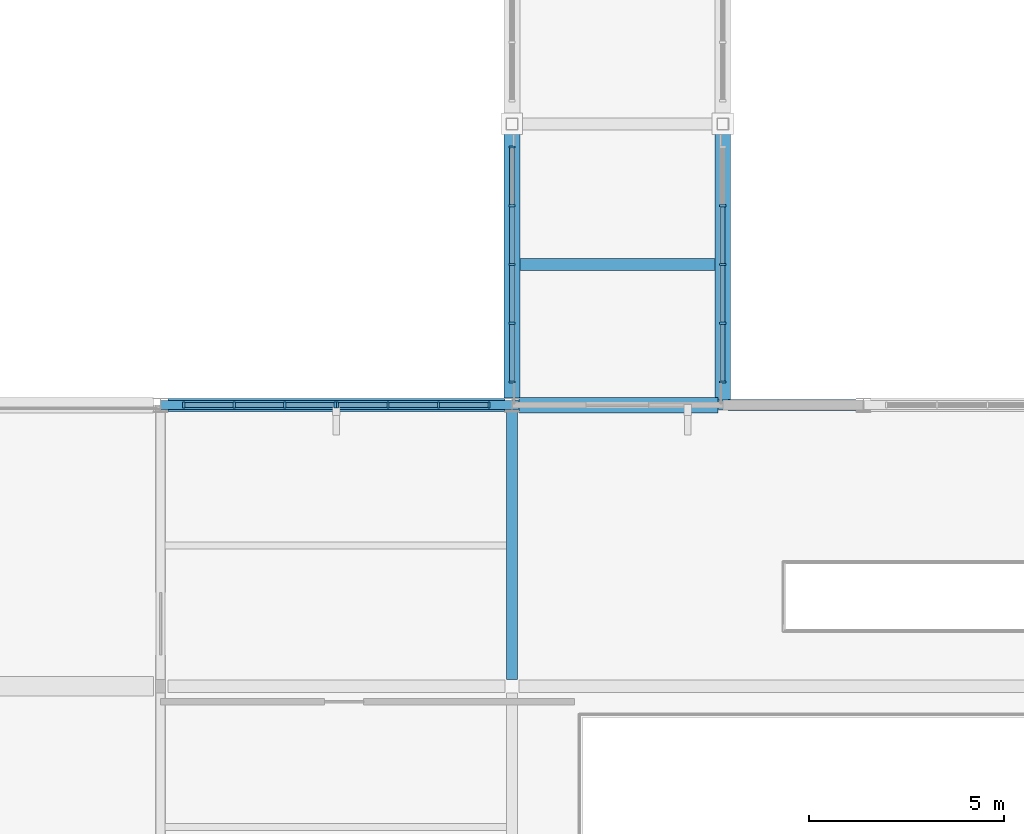
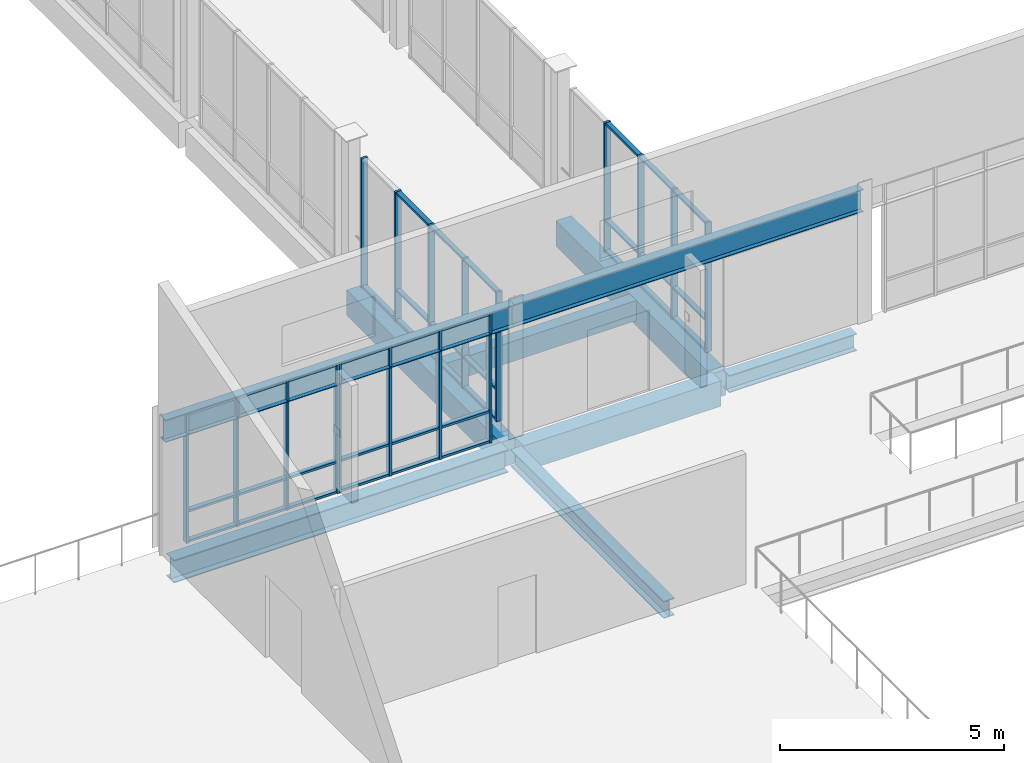
# One storey, part 19 of 85: 54 members, 9 beams, 4 elements without a shape of their own.
"""IFC4 building model written with IfcOpenShell, lengths in metres."""

import ifcopenshell
import ifcopenshell.guid

model = None  # the IFC model being written
_history = None  # IfcOwnerHistory: only IFC2X3 demands one
_inside = {}  # id of a spatial element -> (the spatial element, [elements in it])
_under = {}  # id of a project, library or spatial element -> (it, [spatial elements below it])
_declared = {}  # id of a project -> (the project, [libraries it declares])
_typed = {}  # id of a type object -> (the type object, [elements of that type])
_made_of = {}  # id of a material, layer set ... -> (it, [elements and type objects made of it])


def new_model(schema):
    """Start an empty IFC model of exactly this schema.

    Asked for "IFC4X3", IfcOpenShell would pick the latest addendum, in which some entities
    have other attributes; the version numbers below select the first issue.
    IFC2X3 requires an IfcOwnerHistory on every rooted entity: one is made here for all.
    """
    global model, _history
    if schema == "IFC4X3":
        model = ifcopenshell.file(schema_version=(4, 3, 0, 0))
    else:
        model = ifcopenshell.file(schema=schema)
    _inside.clear()
    _under.clear()
    _declared.clear()
    _typed.clear()
    _made_of.clear()
    _history = None
    if model.schema == "IFC2X3":
        org = make("IfcOrganization", Name="unknown")
        user = make(
            "IfcPersonAndOrganization",
            ThePerson=make("IfcPerson", FamilyName="unknown"),
            TheOrganization=org,
        )
        app = make(
            "IfcApplication",
            ApplicationDeveloper=org,
            Version="unknown",
            ApplicationFullName="unknown",
            ApplicationIdentifier="unknown",
        )
        _history = make(
            "IfcOwnerHistory",
            OwningUser=user,
            OwningApplication=app,
            ChangeAction="ADDED",
            CreationDate=0,
        )
    return model


def make(cls, **values):
    """One entity of the class cls with the attributes given. An attribute that is None is left unset."""
    return model.create_entity(
        cls, **{name: value for name, value in values.items() if value is not None}
    )


def rooted(cls, **values):
    """An entity with a GlobalId (a new one), such as an element, a storey or a relation."""
    return make(cls, GlobalId=ifcopenshell.guid.new(), OwnerHistory=_history, **values)


def si_unit(unit_type, name, prefix=None):
    """IfcSIUnit, for example si_unit("LENGTHUNIT", "METRE", prefix="MILLI")."""
    return make("IfcSIUnit", UnitType=unit_type, Prefix=prefix, Name=name)


def assignment(units):
    """IfcUnitAssignment: the units of a project."""
    return None if units is None else make("IfcUnitAssignment", Units=units)


def point(xyz):
    """IfcCartesianPoint."""
    return None if xyz is None else make("IfcCartesianPoint", Coordinates=xyz)


def direction(xyz):
    """IfcDirection."""
    return None if xyz is None else make("IfcDirection", DirectionRatios=xyz)


def frame(location, z_axis=None, x_axis=None):
    """IfcAxis2Placement3D, a coordinate frame: its origin and axes. An axis left out is left unset."""
    return make(
        "IfcAxis2Placement3D",
        Location=point(location),
        Axis=direction(z_axis),
        RefDirection=direction(x_axis),
    )


def frame_2d(location, x_axis=None):
    """IfcAxis2Placement2D, a coordinate frame in the plane: its origin and x axis."""
    return make(
        "IfcAxis2Placement2D", Location=point(location), RefDirection=direction(x_axis)
    )


def origin():
    """The frame at (0, 0, 0) with its axes left unset."""
    return frame((0.0, 0.0, 0.0))


def origin_2d():
    """The frame at (0, 0) in the plane with its x axis left unset."""
    return frame_2d((0.0, 0.0))


def place(relative_to, where):
    """IfcLocalPlacement: puts the frame where relative to a parent placement (None: the world)."""
    return make(
        "IfcLocalPlacement", PlacementRelTo=relative_to, RelativePlacement=where
    )


def context(
    kind, dimensions, precision=None, world=None, true_north=None, identifier=None
):
    """IfcGeometricRepresentationContext, for example the 3D "Model" context."""
    return make(
        "IfcGeometricRepresentationContext",
        ContextIdentifier=identifier,
        ContextType=kind,
        CoordinateSpaceDimension=dimensions,
        Precision=precision,
        WorldCoordinateSystem=world,
        TrueNorth=true_north,
    )


def subcontext(parent, identifier, kind, view, scale=None):
    """IfcGeometricRepresentationSubContext, for example "Body" below "Model"."""
    return make(
        "IfcGeometricRepresentationSubContext",
        ContextIdentifier=identifier,
        ContextType=kind,
        ParentContext=parent,
        TargetScale=scale,
        TargetView=view,
    )


def project(units=None, contexts=None):
    """IfcProject with its units and contexts."""
    return rooted(
        "IfcProject",
        Name="project",
        RepresentationContexts=contexts,
        UnitsInContext=assignment(units),
    )


def spatial(cls, under=None, at=None, **own):
    """A site, building, storey or space (cls), placed at a placement, below another one or the project."""
    s = rooted(cls, ObjectPlacement=at, **own)
    if under is not None:
        _under.setdefault(under.id(), (under, []))[1].append(s)
    return s


def profile(cls, at=None, kind="AREA", **sizes):
    """A parametric profile (cls). Its sizes go by their IFC names, for example OverallWidth=200.0."""
    return make(cls, ProfileType=kind, Position=at, **sizes)


def rectangle(**sizes):
    """IfcRectangleProfileDef."""
    return profile("IfcRectangleProfileDef", **sizes)


def i_section(**sizes):
    """IfcIShapeProfileDef."""
    return profile("IfcIShapeProfileDef", **sizes)


def extrude(swept, where, along, depth):
    """IfcExtrudedAreaSolid: the profile swept, set in the frame where, extruded along a direction by depth."""
    return make(
        "IfcExtrudedAreaSolid",
        SweptArea=swept,
        Position=where,
        ExtrudedDirection=direction(along),
        Depth=depth,
    )


def shape(context_of_items, identifier, shape_type, items):
    """IfcShapeRepresentation: the items that make up one representation, for example the "Body"."""
    return make(
        "IfcShapeRepresentation",
        ContextOfItems=context_of_items,
        RepresentationIdentifier=identifier,
        RepresentationType=shape_type,
        Items=items,
    )


def material(Name=None, Category=None):
    """IfcMaterial."""
    return make("IfcMaterial", Name=Name, Category=Category)


def material_profile(
    of_material, cross_section, Name=None, Category=None, Priority=None
):
    """IfcMaterialProfile: a cross section and its material."""
    return make(
        "IfcMaterialProfile",
        Name=Name,
        Material=of_material,
        Profile=cross_section,
        Priority=Priority,
        Category=Category,
    )


def profile_set(profiles, Name=None, composite=None):
    """IfcMaterialProfileSet."""
    return make(
        "IfcMaterialProfileSet",
        Name=Name,
        MaterialProfiles=profiles,
        CompositeProfile=composite,
    )


def made_of(thing, what):
    """Note that an element or type object is made of a material, layer set ...; save() writes the relation."""
    if what is not None:
        _made_of.setdefault(what.id(), (what, []))[1].append(thing)
    return thing


def type_object(cls, material=None, **own):
    """A type object (cls), such as IfcWallType, which elements share."""
    return made_of(rooted(cls, **own), material)


def element(
    cls,
    number,
    at=None,
    inside=None,
    cuts=None,
    type_object=None,
    material=None,
    context=None,
    identifier="Body",
    shape_type=None,
    held_by="IfcProductDefinitionShape",
    body=None,
    shapes=None,
    **own,
):
    """One element of the class cls, such as IfcWall. Its Tag is "e" and its number.

    at: its placement. inside: the storey or other place that contains it. cuts: it is an
    opening in that element (IfcRelVoidsElement). A single representation is given by context,
    identifier, shape_type and body (its items); several are given by shapes. held_by: the class
    of the entity that holds the representations. save() writes the other relations.
    """
    e = rooted(cls, Tag="e%d" % number, ObjectPlacement=at, **own)
    if body is not None:
        shapes = [shape(context, identifier, shape_type, body)]
    if shapes is not None:
        e.Representation = make(held_by, Representations=shapes)
    if inside is not None:
        _inside.setdefault(inside.id(), (inside, []))[1].append(e)
    if cuts is not None:
        rooted(
            "IfcRelVoidsElement", RelatingBuildingElement=cuts, RelatedOpeningElement=e
        )
    if type_object is not None:
        _typed.setdefault(type_object.id(), (type_object, []))[1].append(e)
    return made_of(e, material)


def aggregate(whole, parts):
    """IfcRelAggregates: a whole, such as a stair, and the parts it consists of."""
    return rooted("IfcRelAggregates", RelatingObject=whole, RelatedObjects=parts)


def save(model, path):
    """Write the relations noted so far, then the file.

    IfcRelAggregates (storeys below a building ...), IfcRelContainedInSpatialStructure (elements
    in a storey), IfcRelDefinesByType, IfcRelAssociatesMaterial and IfcRelDeclares: one each for
    every whole, place, type object, material and project.
    """
    for whole, parts in _under.values():
        aggregate(whole, parts)
    for where, things in _inside.values():
        rooted(
            "IfcRelContainedInSpatialStructure",
            RelatedElements=things,
            RelatingStructure=where,
        )
    for kind, things in _typed.values():
        rooted("IfcRelDefinesByType", RelatedObjects=things, RelatingType=kind)
    for what, things in _made_of.values():
        rooted("IfcRelAssociatesMaterial", RelatedObjects=things, RelatingMaterial=what)
    for by, libraries in _declared.values():
        rooted("IfcRelDeclares", RelatingContext=by, RelatedDefinitions=libraries)
    model.write(path)


model = new_model("IFC4")

# Units and contexts
model_context = context("Model", 3, precision=1e-05, world=origin(), true_north=direction((0.0, 1.0)))
body_context = subcontext(model_context, "Body", "Model", "MODEL_VIEW")
ifc_project = project(units=[si_unit("LENGTHUNIT", "METRE"), si_unit("AREAUNIT", "SQUARE_METRE"), si_unit("VOLUMEUNIT", "CUBIC_METRE"), si_unit("PLANEANGLEUNIT", "RADIAN"), si_unit("MASSUNIT", "GRAM", prefix="KILO")], contexts=[model_context])

# Site, building, storey
site_placement = place(None, origin())
site = spatial("IfcSite", under=ifc_project, at=site_placement, CompositionType="ELEMENT")
building_placement = place(site_placement, origin())
building = spatial("IfcBuilding", under=site, at=building_placement, Name="Vervanel Yard Central Library", CompositionType="ELEMENT")
storey_placement = place(building_placement, frame((0.0, 0.0, 5.10009765625)))
storey = spatial("IfcBuildingStorey", under=building, at=storey_placement, Name="L01", CompositionType="ELEMENT", Elevation=5.10009765625)

# Curtain wall, members
ifc_material_1 = material(Name="Thermally broken anodized aluminium 6063-T6", Category="aluminium")
curtain_wall_type_1 = type_object("IfcCurtainWallType", Name="Children's Courtyard Curtain Wall", PredefinedType="NOTDEFINED", material=ifc_material_1)
curtain_wall_1_placement = place(storey_placement, origin())
curtain_wall_1 = element("IfcCurtainWall", 1, at=curtain_wall_1_placement, inside=storey, type_object=curtain_wall_type_1, Name="L01 Children's Courtyard Curtain Wall CWR-L01-166", PredefinedType="NOTDEFINED")
ifc_material_profile_1 = material_profile(ifc_material_1, rectangle(XDim=0.06005859375, YDim=0.159912109375, at=origin_2d()), Name="ALU 60x160", Category="aluminium")
ifc_profile_set_1 = profile_set([ifc_material_profile_1], Name="Thermally broken anodized aluminium 6063-T6")
member_type_1 = type_object("IfcMemberType", Name="Bridge & Courtyard Mullion 60x160", PredefinedType="MULLION", material=ifc_profile_set_1)
member_1_placement = place(storey_placement, frame((63.590087890625, 21.60009765625, 0.0), z_axis=(0.0, 0.0, 1.0), x_axis=(1.0, 0.0, 0.0)))
member_1 = element("IfcMember", 2, at=member_1_placement, type_object=member_type_1, Name="CWR-L01-166 Mullion 1", PredefinedType="MULLION", context=body_context, shape_type="SweptSolid", body=[
    extrude(rectangle(XDim=0.06005859375, YDim=0.159912109375, at=origin_2d()), origin(), (0.0, 0.0, 1.0), 3.52978515625),
])
member_2_placement = place(storey_placement, frame((64.88330078125, 21.60009765625, 0.0), z_axis=(0.0, 0.0, 1.0), x_axis=(1.0, 0.0, 0.0)))
member_2 = element("IfcMember", 3, at=member_2_placement, type_object=member_type_1, Name="CWR-L01-166 Mullion 2", PredefinedType="MULLION", context=body_context, shape_type="SweptSolid", body=[
    extrude(rectangle(XDim=0.06005859375, YDim=0.159912109375, at=origin_2d()), origin(), (0.0, 0.0, 1.0), 3.52978515625),
])
member_3_placement = place(storey_placement, frame((66.1767578125, 21.60009765625, 0.0), z_axis=(0.0, 0.0, 1.0), x_axis=(1.0, 0.0, 0.0)))
member_3 = element("IfcMember", 4, at=member_3_placement, type_object=member_type_1, Name="CWR-L01-166 Mullion 3", PredefinedType="MULLION", context=body_context, shape_type="SweptSolid", body=[
    extrude(rectangle(XDim=0.06005859375, YDim=0.159912109375, at=origin_2d()), origin(), (0.0, 0.0, 1.0), 3.52978515625),
])
member_4_placement = place(storey_placement, frame((67.469970703125, 21.60009765625, 0.0), z_axis=(0.0, 0.0, 1.0), x_axis=(1.0, 0.0, 0.0)))
member_4 = element("IfcMember", 5, at=member_4_placement, type_object=member_type_1, Name="CWR-L01-166 Mullion 4", PredefinedType="MULLION", context=body_context, shape_type="SweptSolid", body=[
    extrude(rectangle(XDim=0.06005859375, YDim=0.159912109375, at=origin_2d()), origin(), (0.0, 0.0, 1.0), 3.52978515625),
])

curtain_wall_2_placement = place(storey_placement, origin())
curtain_wall_2 = element("IfcCurtainWall", 6, at=curtain_wall_2_placement, inside=storey, type_object=curtain_wall_type_1, Name="L01 Children's Courtyard Curtain Wall CWR-L01-167", PredefinedType="NOTDEFINED")
member_5_placement = place(storey_placement, frame((67.530029296875, 21.60009765625, 0.0), z_axis=(0.0, 0.0, 1.0), x_axis=(1.0, 0.0, 0.0)))
member_5 = element("IfcMember", 7, at=member_5_placement, type_object=member_type_1, Name="CWR-L01-167 Mullion 1", PredefinedType="MULLION", context=body_context, shape_type="SweptSolid", body=[
    extrude(rectangle(XDim=0.06005859375, YDim=0.159912109375, at=origin_2d()), origin(), (0.0, 0.0, 1.0), 3.52978515625),
])
member_6_placement = place(storey_placement, frame((68.8232421875, 21.60009765625, 0.0), z_axis=(0.0, 0.0, 1.0), x_axis=(1.0, 0.0, 0.0)))
member_6 = element("IfcMember", 8, at=member_6_placement, type_object=member_type_1, Name="CWR-L01-167 Mullion 2", PredefinedType="MULLION", context=body_context, shape_type="SweptSolid", body=[
    extrude(rectangle(XDim=0.06005859375, YDim=0.159912109375, at=origin_2d()), origin(), (0.0, 0.0, 1.0), 3.52978515625),
])
member_7_placement = place(storey_placement, frame((70.11669921875, 21.60009765625, 0.0), z_axis=(0.0, 0.0, 1.0), x_axis=(1.0, 0.0, 0.0)))
member_7 = element("IfcMember", 9, at=member_7_placement, type_object=member_type_1, Name="CWR-L01-167 Mullion 3", PredefinedType="MULLION", context=body_context, shape_type="SweptSolid", body=[
    extrude(rectangle(XDim=0.06005859375, YDim=0.159912109375, at=origin_2d()), origin(), (0.0, 0.0, 1.0), 3.52978515625),
])
member_8_placement = place(storey_placement, frame((71.409912109375, 21.60009765625, 0.0), z_axis=(0.0, 0.0, 1.0), x_axis=(1.0, 0.0, 0.0)))
member_8 = element("IfcMember", 10, at=member_8_placement, type_object=member_type_1, Name="CWR-L01-167 Mullion 4", PredefinedType="MULLION", context=body_context, shape_type="SweptSolid", body=[
    extrude(rectangle(XDim=0.06005859375, YDim=0.159912109375, at=origin_2d()), origin(), (0.0, 0.0, 1.0), 3.52978515625),
])

curtain_wall_type_2 = type_object("IfcCurtainWallType", Name="Boulevard Cafe & Bridge Curtain Wall", PredefinedType="NOTDEFINED", material=ifc_material_1)
curtain_wall_3_placement = place(storey_placement, origin())
curtain_wall_3 = element("IfcCurtainWall", 11, at=curtain_wall_3_placement, inside=storey, type_object=curtain_wall_type_2, Name="L01 Boulevard Cafe & Bridge Curtain Wall CWR-L01-176", PredefinedType="NOTDEFINED")
member_9_placement = place(storey_placement, frame((72.0, 22.18994140625, 0.0), z_axis=(0.0, 0.0, 1.0), x_axis=(0.0, 1.0, 0.0)))
member_9 = element("IfcMember", 12, at=member_9_placement, type_object=member_type_1, Name="CWR-L01-176 Mullion 1", PredefinedType="MULLION", context=body_context, shape_type="SweptSolid", body=[
    extrude(rectangle(XDim=0.06005859375, YDim=0.159912109375, at=origin_2d()), origin(), (0.0, 0.0, 1.0), 3.52978515625),
])
member_10_placement = place(storey_placement, frame((72.0, 23.695068359375, 0.0), z_axis=(0.0, 0.0, 1.0), x_axis=(0.0, 1.0, 0.0)))
member_10 = element("IfcMember", 13, at=member_10_placement, type_object=member_type_1, Name="CWR-L01-176 Mullion 2", PredefinedType="MULLION", context=body_context, shape_type="SweptSolid", body=[
    extrude(rectangle(XDim=0.06005859375, YDim=0.159912109375, at=origin_2d()), origin(), (0.0, 0.0, 1.0), 3.52978515625),
])
member_11_placement = place(storey_placement, frame((72.0, 25.199951171875, 0.0), z_axis=(0.0, 0.0, 1.0), x_axis=(0.0, 1.0, 0.0)))
member_11 = element("IfcMember", 14, at=member_11_placement, type_object=member_type_1, Name="CWR-L01-176 Mullion 3", PredefinedType="MULLION", context=body_context, shape_type="SweptSolid", body=[
    extrude(rectangle(XDim=0.06005859375, YDim=0.159912109375, at=origin_2d()), origin(), (0.0, 0.0, 1.0), 3.52978515625),
])
member_12_placement = place(storey_placement, frame((72.0, 26.705078125, 0.0), z_axis=(0.0, 0.0, 1.0), x_axis=(0.0, 1.0, 0.0)))
member_12 = element("IfcMember", 15, at=member_12_placement, type_object=member_type_1, Name="CWR-L01-176 Mullion 4", PredefinedType="MULLION", context=body_context, shape_type="SweptSolid", body=[
    extrude(rectangle(XDim=0.06005859375, YDim=0.159912109375, at=origin_2d()), origin(), (0.0, 0.0, 1.0), 3.52978515625),
])
member_13_placement = place(storey_placement, frame((72.0, 28.2099609375, 0.0), z_axis=(0.0, 0.0, 1.0), x_axis=(0.0, 1.0, 0.0)))
member_13 = element("IfcMember", 16, at=member_13_placement, type_object=member_type_1, Name="CWR-L01-176 Mullion 5", PredefinedType="MULLION", context=body_context, shape_type="SweptSolid", body=[
    extrude(rectangle(XDim=0.06005859375, YDim=0.159912109375, at=origin_2d()), origin(), (0.0, 0.0, 1.0), 3.52978515625),
])

curtain_wall_4_placement = place(storey_placement, origin())
curtain_wall_4 = element("IfcCurtainWall", 17, at=curtain_wall_4_placement, inside=storey, type_object=curtain_wall_type_2, Name="L01 Boulevard Cafe & Bridge Curtain Wall CWR-L01-184", PredefinedType="NOTDEFINED")
member_14_placement = place(storey_placement, frame((77.39990234375, 22.18994140625, 0.0), z_axis=(0.0, 0.0, 1.0), x_axis=(0.0, 1.0, 0.0)))
member_14 = element("IfcMember", 18, at=member_14_placement, type_object=member_type_1, Name="CWR-L01-184 Mullion 1", PredefinedType="MULLION", context=body_context, shape_type="SweptSolid", body=[
    extrude(rectangle(XDim=0.06005859375, YDim=0.159912109375, at=origin_2d()), origin(), (0.0, 0.0, 1.0), 3.52978515625),
])
member_15_placement = place(storey_placement, frame((77.39990234375, 23.695068359375, 0.0), z_axis=(0.0, 0.0, 1.0), x_axis=(0.0, 1.0, 0.0)))
member_15 = element("IfcMember", 19, at=member_15_placement, type_object=member_type_1, Name="CWR-L01-184 Mullion 2", PredefinedType="MULLION", context=body_context, shape_type="SweptSolid", body=[
    extrude(rectangle(XDim=0.06005859375, YDim=0.159912109375, at=origin_2d()), origin(), (0.0, 0.0, 1.0), 3.52978515625),
])
member_16_placement = place(storey_placement, frame((77.39990234375, 25.199951171875, 0.0), z_axis=(0.0, 0.0, 1.0), x_axis=(0.0, 1.0, 0.0)))
member_16 = element("IfcMember", 20, at=member_16_placement, type_object=member_type_1, Name="CWR-L01-184 Mullion 3", PredefinedType="MULLION", context=body_context, shape_type="SweptSolid", body=[
    extrude(rectangle(XDim=0.06005859375, YDim=0.159912109375, at=origin_2d()), origin(), (0.0, 0.0, 1.0), 3.52978515625),
])
member_17_placement = place(storey_placement, frame((77.39990234375, 26.705078125, 0.0), z_axis=(0.0, 0.0, 1.0), x_axis=(0.0, 1.0, 0.0)))
member_17 = element("IfcMember", 21, at=member_17_placement, type_object=member_type_1, Name="CWR-L01-184 Mullion 4", PredefinedType="MULLION", context=body_context, shape_type="SweptSolid", body=[
    extrude(rectangle(XDim=0.06005859375, YDim=0.159912109375, at=origin_2d()), origin(), (0.0, 0.0, 1.0), 3.52978515625),
])

# Member
ifc_material_profile_2 = material_profile(ifc_material_1, rectangle(XDim=0.06005859375, YDim=0.1201171875, at=origin_2d()), Name="ALU 60x120", Category="aluminium")
ifc_profile_set_2 = profile_set([ifc_material_profile_2], Name="Thermally broken anodized aluminium 6063-T6")
member_type_2 = type_object("IfcMemberType", Name="Bridge & Courtyard Transom 60x120", PredefinedType="NOTDEFINED", material=ifc_profile_set_2)
member_18_placement = place(storey_placement, frame((63.6201171875, 21.60009765625, 0.02978515625), z_axis=(1.0, 0.0, 0.0), x_axis=(0.0, 0.0, 1.0)))
member_18 = element("IfcMember", 22, at=member_18_placement, type_object=member_type_2, Name="CWR-L01-166 Transom B1-T1", ObjectType="TRANSOM", PredefinedType="USERDEFINED", context=body_context, shape_type="SweptSolid", body=[
    extrude(rectangle(XDim=0.06005859375, YDim=0.1201171875, at=origin_2d()), origin(), (0.0, 0.0, 1.0), 1.233154296875),
])

member_19_placement = place(storey_placement, frame((63.6201171875, 21.60009765625, 0.849853515625), z_axis=(1.0, 0.0, 0.0), x_axis=(0.0, 0.0, 1.0)))
member_19 = element("IfcMember", 23, at=member_19_placement, type_object=member_type_2, Name="CWR-L01-166 Transom B1-T2", ObjectType="TRANSOM", PredefinedType="USERDEFINED", context=body_context, shape_type="SweptSolid", body=[
    extrude(rectangle(XDim=0.06005859375, YDim=0.1201171875, at=origin_2d()), origin(), (0.0, 0.0, 1.0), 1.233154296875),
])

member_20_placement = place(storey_placement, frame((63.6201171875, 21.60009765625, 3.5), z_axis=(1.0, 0.0, 0.0), x_axis=(0.0, 0.0, 1.0)))
member_20 = element("IfcMember", 24, at=member_20_placement, type_object=member_type_2, Name="CWR-L01-166 Transom B1-T3", ObjectType="TRANSOM", PredefinedType="USERDEFINED", context=body_context, shape_type="SweptSolid", body=[
    extrude(rectangle(XDim=0.06005859375, YDim=0.1201171875, at=origin_2d()), origin(), (0.0, 0.0, 1.0), 1.233154296875),
])

member_21_placement = place(storey_placement, frame((64.913330078125, 21.60009765625, 0.02978515625), z_axis=(1.0, 0.0, 0.0), x_axis=(0.0, 0.0, 1.0)))
member_21 = element("IfcMember", 25, at=member_21_placement, type_object=member_type_2, Name="CWR-L01-166 Transom B2-T1", ObjectType="TRANSOM", PredefinedType="USERDEFINED", context=body_context, shape_type="SweptSolid", body=[
    extrude(rectangle(XDim=0.06005859375, YDim=0.1201171875, at=origin_2d()), origin(), (0.0, 0.0, 1.0), 1.2333984375),
])

member_22_placement = place(storey_placement, frame((64.913330078125, 21.60009765625, 0.849853515625), z_axis=(1.0, 0.0, 0.0), x_axis=(0.0, 0.0, 1.0)))
member_22 = element("IfcMember", 26, at=member_22_placement, type_object=member_type_2, Name="CWR-L01-166 Transom B2-T2", ObjectType="TRANSOM", PredefinedType="USERDEFINED", context=body_context, shape_type="SweptSolid", body=[
    extrude(rectangle(XDim=0.06005859375, YDim=0.1201171875, at=origin_2d()), origin(), (0.0, 0.0, 1.0), 1.2333984375),
])

member_23_placement = place(storey_placement, frame((64.913330078125, 21.60009765625, 3.5), z_axis=(1.0, 0.0, 0.0), x_axis=(0.0, 0.0, 1.0)))
member_23 = element("IfcMember", 27, at=member_23_placement, type_object=member_type_2, Name="CWR-L01-166 Transom B2-T3", ObjectType="TRANSOM", PredefinedType="USERDEFINED", context=body_context, shape_type="SweptSolid", body=[
    extrude(rectangle(XDim=0.06005859375, YDim=0.1201171875, at=origin_2d()), origin(), (0.0, 0.0, 1.0), 1.2333984375),
])

member_24_placement = place(storey_placement, frame((66.206787109375, 21.60009765625, 0.02978515625), z_axis=(1.0, 0.0, 0.0), x_axis=(0.0, 0.0, 1.0)))
member_24 = element("IfcMember", 28, at=member_24_placement, type_object=member_type_2, Name="CWR-L01-166 Transom B3-T1", ObjectType="TRANSOM", PredefinedType="USERDEFINED", context=body_context, shape_type="SweptSolid", body=[
    extrude(rectangle(XDim=0.06005859375, YDim=0.1201171875, at=origin_2d()), origin(), (0.0, 0.0, 1.0), 1.233154296875),
])

member_25_placement = place(storey_placement, frame((66.206787109375, 21.60009765625, 0.849853515625), z_axis=(1.0, 0.0, 0.0), x_axis=(0.0, 0.0, 1.0)))
member_25 = element("IfcMember", 29, at=member_25_placement, type_object=member_type_2, Name="CWR-L01-166 Transom B3-T2", ObjectType="TRANSOM", PredefinedType="USERDEFINED", context=body_context, shape_type="SweptSolid", body=[
    extrude(rectangle(XDim=0.06005859375, YDim=0.1201171875, at=origin_2d()), origin(), (0.0, 0.0, 1.0), 1.233154296875),
])

member_26_placement = place(storey_placement, frame((66.206787109375, 21.60009765625, 3.5), z_axis=(1.0, 0.0, 0.0), x_axis=(0.0, 0.0, 1.0)))
member_26 = element("IfcMember", 30, at=member_26_placement, type_object=member_type_2, Name="CWR-L01-166 Transom B3-T3", ObjectType="TRANSOM", PredefinedType="USERDEFINED", context=body_context, shape_type="SweptSolid", body=[
    extrude(rectangle(XDim=0.06005859375, YDim=0.1201171875, at=origin_2d()), origin(), (0.0, 0.0, 1.0), 1.233154296875),
])

aggregate(curtain_wall_1, [member_1, member_2, member_3, member_4, member_18, member_19, member_20, member_21, member_22, member_23, member_24, member_25, member_26])

member_27_placement = place(storey_placement, frame((67.56005859375, 21.60009765625, 0.02978515625), z_axis=(1.0, 0.0, 0.0), x_axis=(0.0, 0.0, 1.0)))
member_27 = element("IfcMember", 31, at=member_27_placement, type_object=member_type_2, Name="CWR-L01-167 Transom B1-T1", ObjectType="TRANSOM", PredefinedType="USERDEFINED", context=body_context, shape_type="SweptSolid", body=[
    extrude(rectangle(XDim=0.06005859375, YDim=0.1201171875, at=origin_2d()), origin(), (0.0, 0.0, 1.0), 1.233154296875),
])

member_28_placement = place(storey_placement, frame((67.56005859375, 21.60009765625, 0.849853515625), z_axis=(1.0, 0.0, 0.0), x_axis=(0.0, 0.0, 1.0)))
member_28 = element("IfcMember", 32, at=member_28_placement, type_object=member_type_2, Name="CWR-L01-167 Transom B1-T2", ObjectType="TRANSOM", PredefinedType="USERDEFINED", context=body_context, shape_type="SweptSolid", body=[
    extrude(rectangle(XDim=0.06005859375, YDim=0.1201171875, at=origin_2d()), origin(), (0.0, 0.0, 1.0), 1.233154296875),
])

member_29_placement = place(storey_placement, frame((67.56005859375, 21.60009765625, 3.5), z_axis=(1.0, 0.0, 0.0), x_axis=(0.0, 0.0, 1.0)))
member_29 = element("IfcMember", 33, at=member_29_placement, type_object=member_type_2, Name="CWR-L01-167 Transom B1-T3", ObjectType="TRANSOM", PredefinedType="USERDEFINED", context=body_context, shape_type="SweptSolid", body=[
    extrude(rectangle(XDim=0.06005859375, YDim=0.1201171875, at=origin_2d()), origin(), (0.0, 0.0, 1.0), 1.233154296875),
])

member_30_placement = place(storey_placement, frame((68.853271484375, 21.60009765625, 0.02978515625), z_axis=(1.0, 0.0, 0.0), x_axis=(0.0, 0.0, 1.0)))
member_30 = element("IfcMember", 34, at=member_30_placement, type_object=member_type_2, Name="CWR-L01-167 Transom B2-T1", ObjectType="TRANSOM", PredefinedType="USERDEFINED", context=body_context, shape_type="SweptSolid", body=[
    extrude(rectangle(XDim=0.06005859375, YDim=0.1201171875, at=origin_2d()), origin(), (0.0, 0.0, 1.0), 1.2333984375),
])

member_31_placement = place(storey_placement, frame((68.853271484375, 21.60009765625, 0.849853515625), z_axis=(1.0, 0.0, 0.0), x_axis=(0.0, 0.0, 1.0)))
member_31 = element("IfcMember", 35, at=member_31_placement, type_object=member_type_2, Name="CWR-L01-167 Transom B2-T2", ObjectType="TRANSOM", PredefinedType="USERDEFINED", context=body_context, shape_type="SweptSolid", body=[
    extrude(rectangle(XDim=0.06005859375, YDim=0.1201171875, at=origin_2d()), origin(), (0.0, 0.0, 1.0), 1.2333984375),
])

member_32_placement = place(storey_placement, frame((68.853271484375, 21.60009765625, 3.5), z_axis=(1.0, 0.0, 0.0), x_axis=(0.0, 0.0, 1.0)))
member_32 = element("IfcMember", 36, at=member_32_placement, type_object=member_type_2, Name="CWR-L01-167 Transom B2-T3", ObjectType="TRANSOM", PredefinedType="USERDEFINED", context=body_context, shape_type="SweptSolid", body=[
    extrude(rectangle(XDim=0.06005859375, YDim=0.1201171875, at=origin_2d()), origin(), (0.0, 0.0, 1.0), 1.2333984375),
])

member_33_placement = place(storey_placement, frame((70.146728515625, 21.60009765625, 0.02978515625), z_axis=(1.0, 0.0, 0.0), x_axis=(0.0, 0.0, 1.0)))
member_33 = element("IfcMember", 37, at=member_33_placement, type_object=member_type_2, Name="CWR-L01-167 Transom B3-T1", ObjectType="TRANSOM", PredefinedType="USERDEFINED", context=body_context, shape_type="SweptSolid", body=[
    extrude(rectangle(XDim=0.06005859375, YDim=0.1201171875, at=origin_2d()), origin(), (0.0, 0.0, 1.0), 1.233154296875),
])

member_34_placement = place(storey_placement, frame((70.146728515625, 21.60009765625, 0.849853515625), z_axis=(1.0, 0.0, 0.0), x_axis=(0.0, 0.0, 1.0)))
member_34 = element("IfcMember", 38, at=member_34_placement, type_object=member_type_2, Name="CWR-L01-167 Transom B3-T2", ObjectType="TRANSOM", PredefinedType="USERDEFINED", context=body_context, shape_type="SweptSolid", body=[
    extrude(rectangle(XDim=0.06005859375, YDim=0.1201171875, at=origin_2d()), origin(), (0.0, 0.0, 1.0), 1.233154296875),
])

member_35_placement = place(storey_placement, frame((70.146728515625, 21.60009765625, 3.5), z_axis=(1.0, 0.0, 0.0), x_axis=(0.0, 0.0, 1.0)))
member_35 = element("IfcMember", 39, at=member_35_placement, type_object=member_type_2, Name="CWR-L01-167 Transom B3-T3", ObjectType="TRANSOM", PredefinedType="USERDEFINED", context=body_context, shape_type="SweptSolid", body=[
    extrude(rectangle(XDim=0.06005859375, YDim=0.1201171875, at=origin_2d()), origin(), (0.0, 0.0, 1.0), 1.233154296875),
])

aggregate(curtain_wall_2, [member_5, member_6, member_7, member_8, member_27, member_28, member_29, member_30, member_31, member_32, member_33, member_34, member_35])

member_36_placement = place(storey_placement, frame((72.0, 22.219970703125, 0.02978515625), z_axis=(0.0, 1.0, 0.0), x_axis=(0.0, 0.0, 1.0)))
member_36 = element("IfcMember", 40, at=member_36_placement, type_object=member_type_2, Name="CWR-L01-176 Transom B1-T1", ObjectType="TRANSOM", PredefinedType="USERDEFINED", context=body_context, shape_type="SweptSolid", body=[
    extrude(rectangle(XDim=0.06005859375, YDim=0.1201171875, at=origin_2d()), origin(), (0.0, 0.0, 1.0), 1.445068359375),
])

member_37_placement = place(storey_placement, frame((72.0, 22.219970703125, 0.849853515625), z_axis=(0.0, 1.0, 0.0), x_axis=(0.0, 0.0, 1.0)))
member_37 = element("IfcMember", 41, at=member_37_placement, type_object=member_type_2, Name="CWR-L01-176 Transom B1-T2", ObjectType="TRANSOM", PredefinedType="USERDEFINED", context=body_context, shape_type="SweptSolid", body=[
    extrude(rectangle(XDim=0.06005859375, YDim=0.1201171875, at=origin_2d()), origin(), (0.0, 0.0, 1.0), 1.445068359375),
])

member_38_placement = place(storey_placement, frame((72.0, 22.219970703125, 3.5), z_axis=(0.0, 1.0, 0.0), x_axis=(0.0, 0.0, 1.0)))
member_38 = element("IfcMember", 42, at=member_38_placement, type_object=member_type_2, Name="CWR-L01-176 Transom B1-T3", ObjectType="TRANSOM", PredefinedType="USERDEFINED", context=body_context, shape_type="SweptSolid", body=[
    extrude(rectangle(XDim=0.06005859375, YDim=0.1201171875, at=origin_2d()), origin(), (0.0, 0.0, 1.0), 1.445068359375),
])

member_39_placement = place(storey_placement, frame((72.0, 23.72509765625, 0.02978515625), z_axis=(0.0, 1.0, 0.0), x_axis=(0.0, 0.0, 1.0)))
member_39 = element("IfcMember", 43, at=member_39_placement, type_object=member_type_2, Name="CWR-L01-176 Transom B2-T1", ObjectType="TRANSOM", PredefinedType="USERDEFINED", context=body_context, shape_type="SweptSolid", body=[
    extrude(rectangle(XDim=0.06005859375, YDim=0.1201171875, at=origin_2d()), origin(), (0.0, 0.0, 1.0), 1.44482421875),
])

member_40_placement = place(storey_placement, frame((72.0, 23.72509765625, 0.849853515625), z_axis=(0.0, 1.0, 0.0), x_axis=(0.0, 0.0, 1.0)))
member_40 = element("IfcMember", 44, at=member_40_placement, type_object=member_type_2, Name="CWR-L01-176 Transom B2-T2", ObjectType="TRANSOM", PredefinedType="USERDEFINED", context=body_context, shape_type="SweptSolid", body=[
    extrude(rectangle(XDim=0.06005859375, YDim=0.1201171875, at=origin_2d()), origin(), (0.0, 0.0, 1.0), 1.44482421875),
])

member_41_placement = place(storey_placement, frame((72.0, 23.72509765625, 3.5), z_axis=(0.0, 1.0, 0.0), x_axis=(0.0, 0.0, 1.0)))
member_41 = element("IfcMember", 45, at=member_41_placement, type_object=member_type_2, Name="CWR-L01-176 Transom B2-T3", ObjectType="TRANSOM", PredefinedType="USERDEFINED", context=body_context, shape_type="SweptSolid", body=[
    extrude(rectangle(XDim=0.06005859375, YDim=0.1201171875, at=origin_2d()), origin(), (0.0, 0.0, 1.0), 1.44482421875),
])

member_42_placement = place(storey_placement, frame((72.0, 25.22998046875, 0.02978515625), z_axis=(0.0, 1.0, 0.0), x_axis=(0.0, 0.0, 1.0)))
member_42 = element("IfcMember", 46, at=member_42_placement, type_object=member_type_2, Name="CWR-L01-176 Transom B3-T1", ObjectType="TRANSOM", PredefinedType="USERDEFINED", context=body_context, shape_type="SweptSolid", body=[
    extrude(rectangle(XDim=0.06005859375, YDim=0.1201171875, at=origin_2d()), origin(), (0.0, 0.0, 1.0), 1.445068359375),
])

member_43_placement = place(storey_placement, frame((72.0, 25.22998046875, 0.849853515625), z_axis=(0.0, 1.0, 0.0), x_axis=(0.0, 0.0, 1.0)))
member_43 = element("IfcMember", 47, at=member_43_placement, type_object=member_type_2, Name="CWR-L01-176 Transom B3-T2", ObjectType="TRANSOM", PredefinedType="USERDEFINED", context=body_context, shape_type="SweptSolid", body=[
    extrude(rectangle(XDim=0.06005859375, YDim=0.1201171875, at=origin_2d()), origin(), (0.0, 0.0, 1.0), 1.445068359375),
])

member_44_placement = place(storey_placement, frame((72.0, 25.22998046875, 3.5), z_axis=(0.0, 1.0, 0.0), x_axis=(0.0, 0.0, 1.0)))
member_44 = element("IfcMember", 48, at=member_44_placement, type_object=member_type_2, Name="CWR-L01-176 Transom B3-T3", ObjectType="TRANSOM", PredefinedType="USERDEFINED", context=body_context, shape_type="SweptSolid", body=[
    extrude(rectangle(XDim=0.06005859375, YDim=0.1201171875, at=origin_2d()), origin(), (0.0, 0.0, 1.0), 1.445068359375),
])

member_45_placement = place(storey_placement, frame((72.0, 26.735107421875, 0.02978515625), z_axis=(0.0, 1.0, 0.0), x_axis=(0.0, 0.0, 1.0)))
member_45 = element("IfcMember", 49, at=member_45_placement, type_object=member_type_2, Name="CWR-L01-176 Transom B4-T1", ObjectType="TRANSOM", PredefinedType="USERDEFINED", context=body_context, shape_type="SweptSolid", body=[
    extrude(rectangle(XDim=0.06005859375, YDim=0.1201171875, at=origin_2d()), origin(), (0.0, 0.0, 1.0), 1.44482421875),
])

aggregate(curtain_wall_3, [member_9, member_10, member_11, member_12, member_13, member_36, member_37, member_38, member_39, member_40, member_41, member_42, member_43, member_44, member_45])

member_46_placement = place(storey_placement, frame((77.39990234375, 22.219970703125, 0.02978515625), z_axis=(0.0, 1.0, 0.0), x_axis=(0.0, 0.0, 1.0)))
member_46 = element("IfcMember", 50, at=member_46_placement, type_object=member_type_2, Name="CWR-L01-184 Transom B1-T1", ObjectType="TRANSOM", PredefinedType="USERDEFINED", context=body_context, shape_type="SweptSolid", body=[
    extrude(rectangle(XDim=0.06005859375, YDim=0.1201171875, at=origin_2d()), origin(), (0.0, 0.0, 1.0), 1.445068359375),
])

member_47_placement = place(storey_placement, frame((77.39990234375, 22.219970703125, 0.849853515625), z_axis=(0.0, 1.0, 0.0), x_axis=(0.0, 0.0, 1.0)))
member_47 = element("IfcMember", 51, at=member_47_placement, type_object=member_type_2, Name="CWR-L01-184 Transom B1-T2", ObjectType="TRANSOM", PredefinedType="USERDEFINED", context=body_context, shape_type="SweptSolid", body=[
    extrude(rectangle(XDim=0.06005859375, YDim=0.1201171875, at=origin_2d()), origin(), (0.0, 0.0, 1.0), 1.445068359375),
])

member_48_placement = place(storey_placement, frame((77.39990234375, 22.219970703125, 3.5), z_axis=(0.0, 1.0, 0.0), x_axis=(0.0, 0.0, 1.0)))
member_48 = element("IfcMember", 52, at=member_48_placement, type_object=member_type_2, Name="CWR-L01-184 Transom B1-T3", ObjectType="TRANSOM", PredefinedType="USERDEFINED", context=body_context, shape_type="SweptSolid", body=[
    extrude(rectangle(XDim=0.06005859375, YDim=0.1201171875, at=origin_2d()), origin(), (0.0, 0.0, 1.0), 1.445068359375),
])

member_49_placement = place(storey_placement, frame((77.39990234375, 23.72509765625, 0.02978515625), z_axis=(0.0, 1.0, 0.0), x_axis=(0.0, 0.0, 1.0)))
member_49 = element("IfcMember", 53, at=member_49_placement, type_object=member_type_2, Name="CWR-L01-184 Transom B2-T1", ObjectType="TRANSOM", PredefinedType="USERDEFINED", context=body_context, shape_type="SweptSolid", body=[
    extrude(rectangle(XDim=0.06005859375, YDim=0.1201171875, at=origin_2d()), origin(), (0.0, 0.0, 1.0), 1.44482421875),
])

member_50_placement = place(storey_placement, frame((77.39990234375, 23.72509765625, 0.849853515625), z_axis=(0.0, 1.0, 0.0), x_axis=(0.0, 0.0, 1.0)))
member_50 = element("IfcMember", 54, at=member_50_placement, type_object=member_type_2, Name="CWR-L01-184 Transom B2-T2", ObjectType="TRANSOM", PredefinedType="USERDEFINED", context=body_context, shape_type="SweptSolid", body=[
    extrude(rectangle(XDim=0.06005859375, YDim=0.1201171875, at=origin_2d()), origin(), (0.0, 0.0, 1.0), 1.44482421875),
])

member_51_placement = place(storey_placement, frame((77.39990234375, 23.72509765625, 3.5), z_axis=(0.0, 1.0, 0.0), x_axis=(0.0, 0.0, 1.0)))
member_51 = element("IfcMember", 55, at=member_51_placement, type_object=member_type_2, Name="CWR-L01-184 Transom B2-T3", ObjectType="TRANSOM", PredefinedType="USERDEFINED", context=body_context, shape_type="SweptSolid", body=[
    extrude(rectangle(XDim=0.06005859375, YDim=0.1201171875, at=origin_2d()), origin(), (0.0, 0.0, 1.0), 1.44482421875),
])

member_52_placement = place(storey_placement, frame((77.39990234375, 25.22998046875, 0.02978515625), z_axis=(0.0, 1.0, 0.0), x_axis=(0.0, 0.0, 1.0)))
member_52 = element("IfcMember", 56, at=member_52_placement, type_object=member_type_2, Name="CWR-L01-184 Transom B3-T1", ObjectType="TRANSOM", PredefinedType="USERDEFINED", context=body_context, shape_type="SweptSolid", body=[
    extrude(rectangle(XDim=0.06005859375, YDim=0.1201171875, at=origin_2d()), origin(), (0.0, 0.0, 1.0), 1.445068359375),
])

member_53_placement = place(storey_placement, frame((77.39990234375, 25.22998046875, 0.849853515625), z_axis=(0.0, 1.0, 0.0), x_axis=(0.0, 0.0, 1.0)))
member_53 = element("IfcMember", 57, at=member_53_placement, type_object=member_type_2, Name="CWR-L01-184 Transom B3-T2", ObjectType="TRANSOM", PredefinedType="USERDEFINED", context=body_context, shape_type="SweptSolid", body=[
    extrude(rectangle(XDim=0.06005859375, YDim=0.1201171875, at=origin_2d()), origin(), (0.0, 0.0, 1.0), 1.445068359375),
])

member_54_placement = place(storey_placement, frame((77.39990234375, 25.22998046875, 3.5), z_axis=(0.0, 1.0, 0.0), x_axis=(0.0, 0.0, 1.0)))
member_54 = element("IfcMember", 58, at=member_54_placement, type_object=member_type_2, Name="CWR-L01-184 Transom B3-T3", ObjectType="TRANSOM", PredefinedType="USERDEFINED", context=body_context, shape_type="SweptSolid", body=[
    extrude(rectangle(XDim=0.06005859375, YDim=0.1201171875, at=origin_2d()), origin(), (0.0, 0.0, 1.0), 1.445068359375),
])

aggregate(curtain_wall_4, [member_14, member_15, member_16, member_17, member_46, member_47, member_48, member_49, member_50, member_51, member_52, member_53, member_54])

# Beams
ifc_material_2 = material(Name="Concrete C40/50", Category="concrete")
ifc_material_profile_3 = material_profile(ifc_material_2, rectangle(XDim=0.39990234375, YDim=0.699951171875, at=origin_2d()), Name="RC 400x700", Category="concrete")
ifc_profile_set_3 = profile_set([ifc_material_profile_3], Name="Concrete C40/50")
beam_type_1 = type_object("IfcBeamType", Name="Concrete Perimeter Spandrel 400x700", PredefinedType="SPANDREL", material=ifc_profile_set_3)
beam_1_placement = place(storey_placement, frame((72.18408203125, 21.60009765625, -0.630126953125), z_axis=(1.0, 0.0, 0.0), x_axis=(0.0, 1.0, 0.0)))
element("IfcBeam", 59, at=beam_1_placement, inside=storey, type_object=beam_type_1, Name="L01 Girder SP-01 Y=21.6 X=72.0-77.4", PredefinedType="SPANDREL", context=body_context, shape_type="SweptSolid", body=[
    extrude(rectangle(XDim=0.39990234375, YDim=0.699951171875, at=origin_2d()), origin(), (0.0, 0.0, 1.0), 5.0888671875),
])
beam_2_placement = place(storey_placement, frame((72.0, 21.77783203125, -0.630126953125), z_axis=(0.0, 1.0, 0.0), x_axis=(-1.0, 0.0, 0.0)))
element("IfcBeam", 60, at=beam_2_placement, inside=storey, type_object=beam_type_1, Name="L01 Girder SP-01 X=72.0 Y=21.6-28.8", PredefinedType="SPANDREL", context=body_context, shape_type="SweptSolid", body=[
    extrude(rectangle(XDim=0.39990234375, YDim=0.699951171875, at=origin_2d()), origin(), (0.0, 0.0, 1.0), 6.869873046875),
])
beam_3_placement = place(storey_placement, frame((77.39990234375, 21.72705078125, -0.630126953125), z_axis=(0.0, 1.0, 0.0), x_axis=(-1.0, 0.0, 0.0)))
element("IfcBeam", 61, at=beam_3_placement, inside=storey, type_object=beam_type_1, Name="L01 Girder SP-01 X=77.4 Y=21.6-28.8", PredefinedType="SPANDREL", context=body_context, shape_type="SweptSolid", body=[
    extrude(rectangle(XDim=0.39990234375, YDim=0.699951171875, at=origin_2d()), origin(), (0.0, 0.0, 1.0), 6.920654296875),
])
ifc_material_profile_4 = material_profile(ifc_material_2, rectangle(XDim=0.300048828125, YDim=0.550048828125, at=origin_2d()), Name="RC 300x550", Category="concrete")
ifc_profile_set_4 = profile_set([ifc_material_profile_4], Name="Concrete C40/50")
beam_type_2 = type_object("IfcBeamType", Name="Concrete Secondary Joist 300x550", PredefinedType="JOIST", material=ifc_profile_set_4)
beam_4_placement = place(storey_placement, frame((72.199951171875, 25.199951171875, -0.55517578125), z_axis=(1.0, 0.0, 0.0), x_axis=(0.0, 1.0, 0.0)))
element("IfcBeam", 62, at=beam_4_placement, inside=storey, type_object=beam_type_2, Name="L01 Floor Joist CJ-02 Y=25.20 X=72.0-77.4", PredefinedType="JOIST", context=body_context, shape_type="SweptSolid", body=[
    extrude(rectangle(XDim=0.300048828125, YDim=0.550048828125, at=origin_2d()), origin(), (0.0, 0.0, 1.0), 5.0),
])
ifc_material_3 = material(Name="Steel ASTM A992 Grade 50", Category="steel")
ifc_material_profile_5 = material_profile(ifc_material_3, i_section(OverallWidth=0.32763671875, OverallDepth=0.622314453125, WebThickness=0.015380859375, FlangeThickness=0.0244140625, at=origin_2d()), Name="W24X131", Category="steel")
ifc_profile_set_5 = profile_set([ifc_material_profile_5], Name="Steel ASTM A992 Grade 50")
beam_type_3 = type_object("IfcBeamType", Name="Steel Primary Girder W24X131", PredefinedType="BEAM", material=ifc_profile_set_5)
beam_5_placement = place(storey_placement, frame((63.18408203125, 21.60009765625, -0.581298828125), z_axis=(1.0, 0.0, 0.0), x_axis=(0.0, 1.0, 0.0)))
element("IfcBeam", 63, at=beam_5_placement, inside=storey, type_object=beam_type_3, Name="L01 Girder SB-02 Y=21.6 X=63.0-72.0", PredefinedType="BEAM", context=body_context, shape_type="SweptSolid", body=[
    extrude(i_section(OverallWidth=0.32763671875, OverallDepth=0.622314453125, WebThickness=0.015380859375, FlangeThickness=0.0244140625, at=origin_2d()), origin(), (0.0, 0.0, 1.0), 8.6318359375),
])
ifc_material_profile_6 = material_profile(ifc_material_3, i_section(OverallWidth=0.22900390625, OverallDepth=0.612060546875, WebThickness=0.011962890625, FlangeThickness=0.01953125, at=origin_2d()), Name="W24X84", Category="steel")
ifc_profile_set_6 = profile_set([ifc_material_profile_6], Name="Steel ASTM A992 Grade 50")
beam_type_4 = type_object("IfcBeamType", Name="Steel Primary Girder W24X84", PredefinedType="BEAM", material=ifc_profile_set_6)
for number, where, z_axis, x_axis, name in (
    (64, (63.0, 21.60009765625, 3.27978515625), (1.0, 0.0, 0.0), (0.0, 1.0, 0.0), "L01 V5 North Clerestory Carrier Girder 63-72"),
    (65, (72.0, 21.60009765625, 3.27978515625), (1.0, 0.0, 0.0), (0.0, 1.0, 0.0), "L01 V5 North Clerestory Carrier Girder 72-81"),
):
    element("IfcBeam", number, at=place(storey_placement, frame(where, z_axis=z_axis, x_axis=x_axis)), inside=storey, type_object=beam_type_4, Name=name, PredefinedType="BEAM", context=body_context, shape_type="SweptSolid", body=[
        extrude(i_section(OverallWidth=0.22900390625, OverallDepth=0.612060546875, WebThickness=0.011962890625, FlangeThickness=0.01953125, at=origin_2d()), origin(), (0.0, 0.0, 1.0), 9.0),
    ])
ifc_material_profile_7 = material_profile(ifc_material_3, i_section(OverallWidth=0.281982421875, OverallDepth=0.46728515625, WebThickness=0.01220703125, FlangeThickness=0.01953125, at=origin_2d()), Name="W18X86", Category="steel")
ifc_profile_set_7 = profile_set([ifc_material_profile_7], Name="Steel ASTM A992 Grade 50")
beam_type_5 = type_object("IfcBeamType", Name="Steel Spandrel Beam W18X86", PredefinedType="SPANDREL", material=ifc_profile_set_7)
beam_6_placement = place(storey_placement, frame((77.527099609375, 21.60009765625, -0.503662109375), z_axis=(1.0, 0.0, 0.0), x_axis=(0.0, 1.0, 0.0)))
element("IfcBeam", 66, at=beam_6_placement, inside=storey, type_object=beam_type_5, Name="L01 Girder SP-02 Y=21.6 X=77.4-81.0", PredefinedType="SPANDREL", context=body_context, shape_type="SweptSolid", body=[
    extrude(i_section(OverallWidth=0.281982421875, OverallDepth=0.46728515625, WebThickness=0.01220703125, FlangeThickness=0.01953125, at=origin_2d()), origin(), (0.0, 0.0, 1.0), 3.288818359375),
])
beam_7_placement = place(storey_placement, frame((72.0, 14.577880859375, -0.503662109375), z_axis=(0.0, 1.0, 0.0), x_axis=(-1.0, 0.0, 0.0)))
element("IfcBeam", 67, at=beam_7_placement, inside=storey, type_object=beam_type_5, Name="L01 Girder SP-02 X=72.0 Y=14.4-21.6", PredefinedType="SPANDREL", context=body_context, shape_type="SweptSolid", body=[
    extrude(i_section(OverallWidth=0.281982421875, OverallDepth=0.46728515625, WebThickness=0.01220703125, FlangeThickness=0.01953125, at=origin_2d()), origin(), (0.0, 0.0, 1.0), 6.84423828125),
])

save(model, "model.ifc")
